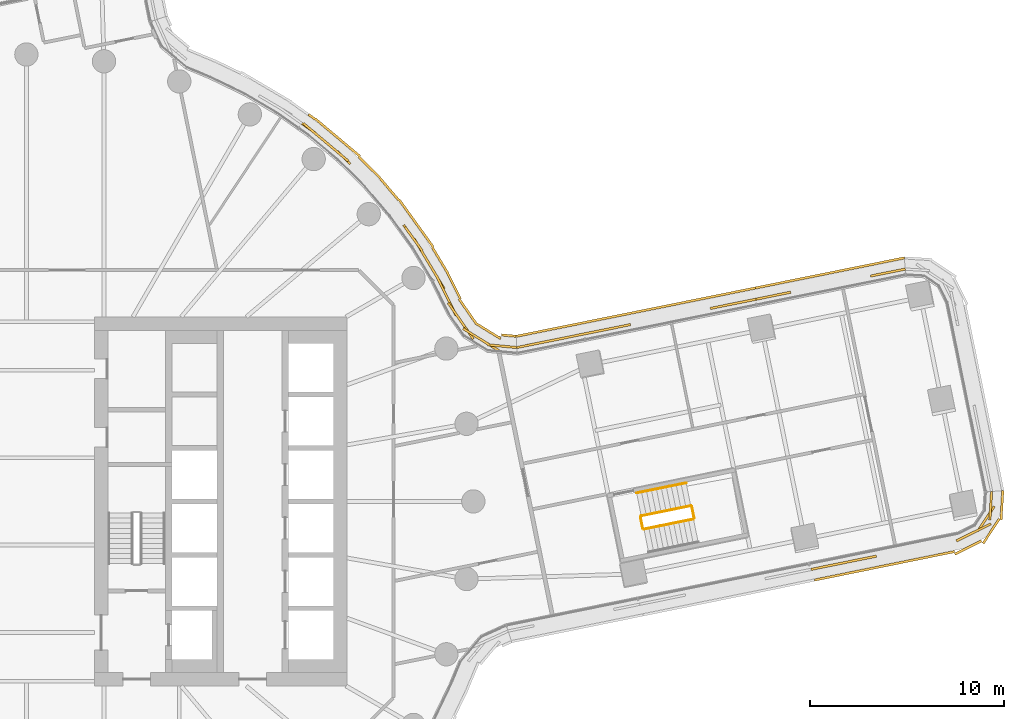
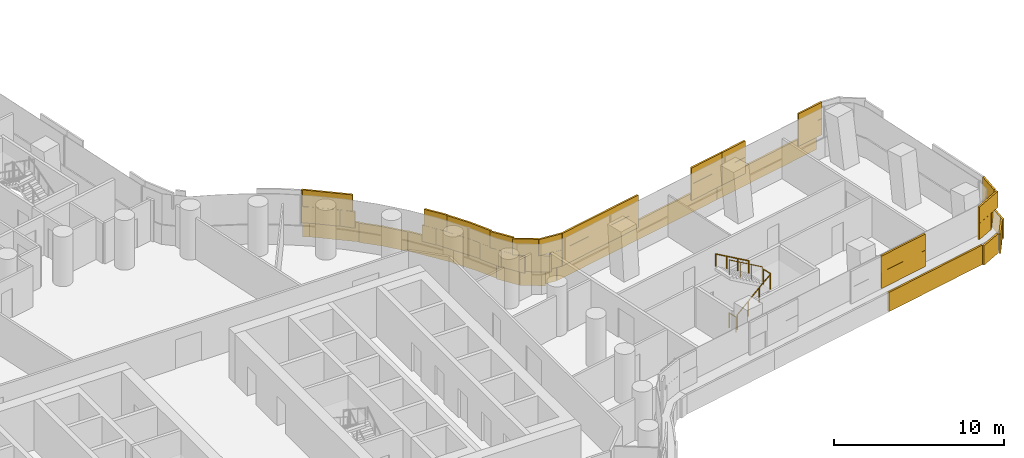
# One storey, part 28 of 31: 5 railings, 4 coverings.
"""IFC4 building model written with IfcOpenShell, lengths in metres."""

from ifc_helpers import new_model, si_unit, direction, frame, origin, origin_2d, place, context, subcontext, project, spatial, rectangle, circle, extrude, material, layer, layer_set, type_object, element, save


model = new_model("IFC4")

# Units and contexts
model_context = context("Model", 3, precision=1e-05, world=origin(), true_north=direction((0.0, 1.0)))
body_context = subcontext(model_context, "Body", "Model", "MODEL_VIEW")
ifc_project = project(units=[si_unit("LENGTHUNIT", "METRE"), si_unit("AREAUNIT", "SQUARE_METRE"), si_unit("VOLUMEUNIT", "CUBIC_METRE"), si_unit("PLANEANGLEUNIT", "RADIAN"), si_unit("MASSUNIT", "GRAM", prefix="KILO")], contexts=[model_context])

# Site, building, storey
site_placement = place(None, origin())
site = spatial("IfcSite", under=ifc_project, at=site_placement, CompositionType="ELEMENT")
building_placement = place(site_placement, origin())
building = spatial("IfcBuilding", under=site, at=building_placement, Name="Tamarind Cross Interchange Tower", CompositionType="ELEMENT")
storey_placement = place(building_placement, frame((0.0, 0.0, 75.25)))
storey = spatial("IfcBuildingStorey", under=building, at=storey_placement, Name="L17", CompositionType="ELEMENT", Elevation=75.25)

# Railings
ifc_material_1 = material(Name="Stair guard")
railing_type_1 = type_object("IfcRailingType", Name="Stair guard", PredefinedType="GUARDRAIL", material=ifc_material_1)
railing_1_placement = place(storey_placement, frame((31.781005859375, -1.429931640625, 0.17041015625)))
element("IfcRailing", 1, at=railing_1_placement, inside=storey, type_object=railing_type_1, Name="L17 ST3 stair guard 1", PredefinedType="GUARDRAIL", context=body_context, shape_type="SweptSolid", body=[
    extrude(circle(Radius=0.02392578125, at=origin_2d()), frame((0.0, 0.0, 1.076171875), z_axis=(0.819521697612, 0.166637125559, 0.548284830656), x_axis=(-0.199257188689, 0.979947229577, 0.0)), (0.0, 0.0, 1.0), 3.10888671875),
    extrude(circle(Radius=0.02099609375, at=origin_2d()), origin(), (0.0, 0.0, 1.0), 1.052001953125),
    extrude(circle(Radius=0.02099609375, at=origin_2d()), frame((0.849365234375, 0.172607421875, 0.568115234375)), (0.0, 0.0, 1.0), 1.052001953125),
    extrude(circle(Radius=0.02099609375, at=origin_2d()), frame((1.698486328125, 0.345458984375, 1.136474609375)), (0.0, 0.0, 1.0), 1.052001953125),
    extrude(circle(Radius=0.02099609375, at=origin_2d()), frame((2.5478515625, 0.51806640625, 1.70458984375)), (0.0, 0.0, 1.0), 1.052001953125),
])
railing_2_placement = place(storey_placement, frame((34.367919921875, -0.852783203125, 1.875)))
element("IfcRailing", 2, at=railing_2_placement, inside=storey, type_object=railing_type_1, Name="L17 ST3 stair guard 2", PredefinedType="GUARDRAIL", context=body_context, shape_type="SweptSolid", body=[
    extrude(circle(Radius=0.02392578125, at=origin_2d()), frame((0.0, 0.0, 1.076171875), z_axis=(-0.199401877541, 0.979917798202, 0.0), x_axis=(-0.979917798202, -0.199401877541, 0.0)), (0.0, 0.0, 1.0), 0.599853515625),
    extrude(circle(Radius=0.02099609375, at=origin_2d()), origin(), (0.0, 0.0, 1.0), 1.052001953125),
    extrude(circle(Radius=0.02099609375, at=origin_2d()), frame((-0.11962890625, 0.587890625, 0.0)), (0.0, 0.0, 1.0), 1.052001953125),
])
railing_3_placement = place(storey_placement, frame((34.189453125, -0.225830078125, 2.04541015625)))
element("IfcRailing", 3, at=railing_3_placement, inside=storey, type_object=railing_type_1, Name="L17 ST3 stair guard 3", PredefinedType="GUARDRAIL", context=body_context, shape_type="SweptSolid", body=[
    extrude(circle(Radius=0.02392578125, at=origin_2d()), frame((0.0, 0.0, 1.076171875), z_axis=(-0.819521697612, -0.166637125559, 0.548284830656), x_axis=(0.199257188689, -0.979947229577, 0.0)), (0.0, 0.0, 1.0), 3.10888671875),
    extrude(circle(Radius=0.02099609375, at=origin_2d()), origin(), (0.0, 0.0, 1.0), 1.052001953125),
    extrude(circle(Radius=0.02099609375, at=origin_2d()), frame((-0.849365234375, -0.172607421875, 0.568115234375)), (0.0, 0.0, 1.0), 1.052001953125),
    extrude(circle(Radius=0.02099609375, at=origin_2d()), frame((-1.698486328125, -0.345458984375, 1.136474609375)), (0.0, 0.0, 1.0), 1.052001953125),
    extrude(circle(Radius=0.02099609375, at=origin_2d()), frame((-2.5478515625, -0.51806640625, 1.70458984375)), (0.0, 0.0, 1.0), 1.052001953125),
])
railing_4_placement = place(storey_placement, frame((31.721923828125, -1.390869140625, 0.0)))
element("IfcRailing", 4, at=railing_4_placement, inside=storey, type_object=railing_type_1, Name="L17 ST3 stair guard 4", PredefinedType="GUARDRAIL", context=body_context, shape_type="SweptSolid", body=[
    extrude(circle(Radius=0.02392578125, at=origin_2d()), frame((0.0, 0.0, 1.076171875), z_axis=(-0.198931726306, 0.980013351067, 0.0), x_axis=(-0.980013351067, -0.198931726306, 0.0)), (0.0, 0.0, 1.0), 0.60009765625),
    extrude(circle(Radius=0.02099609375, at=origin_2d()), origin(), (0.0, 0.0, 1.0), 1.052001953125),
    extrude(circle(Radius=0.02099609375, at=origin_2d()), frame((-0.119384765625, 0.588134765625, 0.0)), (0.0, 0.0, 1.0), 1.052001953125),
])
ifc_material_2 = material(Name="Stair handrail")
railing_type_2 = type_object("IfcRailingType", Name="Stair handrail", PredefinedType="HANDRAIL", material=ifc_material_2)
railing_5_placement = place(storey_placement, frame((33.9501953125, 0.9501953125, 2.04541015625)))
element("IfcRailing", 5, at=railing_5_placement, inside=storey, type_object=railing_type_2, Name="L17 ST3 stair handrail 2", PredefinedType="HANDRAIL", context=body_context, shape_type="SweptSolid", body=[
    extrude(circle(Radius=0.02392578125, at=origin_2d()), frame((0.0, 0.0, 0.8759765625), z_axis=(-0.819521697612, -0.166637125559, 0.548284830656), x_axis=(0.199257188689, -0.979947229577, 0.0)), (0.0, 0.0, 1.0), 3.10888671875),
    extrude(circle(Radius=0.02099609375, at=origin_2d()), origin(), (0.0, 0.0, 1.0), 0.851806640625),
    extrude(circle(Radius=0.02099609375, at=origin_2d()), frame((-0.849365234375, -0.172607421875, 0.568115234375)), (0.0, 0.0, 1.0), 0.851806640625),
    extrude(circle(Radius=0.02099609375, at=origin_2d()), frame((-1.698486328125, -0.345458984375, 1.136474609375)), (0.0, 0.0, 1.0), 0.851806640625),
    extrude(circle(Radius=0.02099609375, at=origin_2d()), frame((-2.5478515625, -0.51806640625, 1.70458984375)), (0.0, 0.0, 1.0), 0.851806640625),
])

# Coverings
ifc_material_3 = material(Name="Terracotta", Category="masonry")
ifc_layer = layer(ifc_material_3, 0.1201171875)
ifc_layer_set = layer_set([ifc_layer], Name="Terracotta")
covering_type = type_object("IfcCoveringType", Name="Terracotta baguette screen unit", PredefinedType="MOLDING", material=ifc_layer_set)
covering_1_placement = place(storey_placement, origin())
element("IfcCovering", 6, at=covering_1_placement, inside=storey, type_object=covering_type, Name="SCR-L17-07-02", PredefinedType="MOLDING", context=body_context, shape_type="SweptSolid", body=[
    extrude(rectangle(XDim=1.3525390625, YDim=0.1201171875, at=origin_2d()), frame((41.03466796875, -3.364990234375, 1.404052734375), z_axis=(0.0, 0.0, 1.0), x_axis=(0.979949750197, 0.199244791873, 0.0)), (0.0, 0.0, 1.0), 1.1669921875),
    extrude(rectangle(XDim=1.52001953125, YDim=0.1201171875, at=origin_2d()), frame((42.42724609375, -3.081787109375, 1.404052734375), z_axis=(0.0, 0.0, 1.0), x_axis=(0.979949750197, 0.199244791873, 0.0)), (0.0, 0.0, 1.0), 1.1669921875),
    extrude(rectangle(XDim=0.594970703125, YDim=0.1201171875, at=origin_2d()), frame((43.44873046875, -2.8740234375, 1.404052734375), z_axis=(0.0, 0.0, 1.0), x_axis=(0.979949750197, 0.199244791873, 0.0)), (0.0, 0.0, 1.0), 1.1669921875),
    extrude(rectangle(XDim=1.22509765625, YDim=0.1201171875, at=origin_2d()), frame((48.412109375, -1.757568359375, 1.404052734375), z_axis=(0.0, 0.0, 1.0), x_axis=(0.894990425407, 0.446085348818, 0.0)), (0.0, 0.0, 1.0), 1.1669921875),
    extrude(rectangle(XDim=1.52001953125, YDim=0.1201171875, at=origin_2d()), frame((49.3896484375, -0.883544921875, 1.404052734375), z_axis=(0.0, 0.0, 1.0), x_axis=(0.552041770137, 0.833816457036, 0.0)), (0.0, 0.0, 1.0), 1.1669921875),
    extrude(rectangle(XDim=0.72216796875, YDim=0.1201171875, at=origin_2d()), frame((49.649169921875, 0.15625, 1.404052734375), z_axis=(0.0, 0.0, 1.0), x_axis=(0.061173968371, 0.998127118955, 0.0)), (0.0, 0.0, 1.0), 1.1669921875),
    extrude(rectangle(XDim=0.6025390625, YDim=0.1201171875, at=origin_2d()), frame((40.6669921875, -3.439697265625, 2.5791015625), z_axis=(0.0, 0.0, 1.0), x_axis=(0.979949750197, 0.199244791873, 0.0)), (0.0, 0.0, 1.0), 1.1669921875),
    extrude(rectangle(XDim=1.52001953125, YDim=0.1201171875, at=origin_2d()), frame((41.6923828125, -3.231201171875, 2.5791015625), z_axis=(0.0, 0.0, 1.0), x_axis=(0.979949750197, 0.199244791873, 0.0)), (0.0, 0.0, 1.0), 1.1669921875),
    extrude(rectangle(XDim=1.344970703125, YDim=0.1201171875, at=origin_2d()), frame((43.081298828125, -2.94873046875, 2.5791015625), z_axis=(0.0, 0.0, 1.0), x_axis=(0.979949750197, 0.199244791873, 0.0)), (0.0, 0.0, 1.0), 1.1669921875),
    extrude(rectangle(XDim=0.47509765625, YDim=0.1201171875, at=origin_2d()), frame((48.076416015625, -1.9248046875, 2.5791015625), z_axis=(0.0, 0.0, 1.0), x_axis=(0.894990425407, 0.446085348818, 0.0)), (0.0, 0.0, 1.0), 1.1669921875),
    extrude(rectangle(XDim=1.52001953125, YDim=0.1201171875, at=origin_2d()), frame((48.955810546875, -1.486572265625, 2.5791015625), z_axis=(0.0, 0.0, 1.0), x_axis=(0.894990425407, 0.446085348818, 0.0)), (0.0, 0.0, 1.0), 1.1669921875),
    extrude(rectangle(XDim=1.47216796875, YDim=0.1201171875, at=origin_2d()), frame((49.626220703125, -0.218017578125, 2.5791015625), z_axis=(0.0, 0.0, 1.0), x_axis=(0.061173968371, 0.998127118955, 0.0)), (0.0, 0.0, 1.0), 1.1669921875),
    extrude(rectangle(XDim=1.345458984375, YDim=0.1201171875, at=origin_2d()), frame((41.22119140625, -3.912841796875, 0.00390625), z_axis=(0.0, 0.0, 1.0), x_axis=(0.979949750197, 0.199244791873, 0.0)), (0.0, 0.0, 1.0), 1.39208984375),
    extrude(rectangle(XDim=1.52001953125, YDim=0.1201171875, at=origin_2d()), frame((42.605712890625, -3.63134765625, 0.00390625), z_axis=(0.0, 0.0, 1.0), x_axis=(0.979949750197, 0.199244791873, 0.0)), (0.0, 0.0, 1.0), 1.39208984375),
    extrude(rectangle(XDim=1.52001953125, YDim=0.1201171875, at=origin_2d()), frame((44.07568359375, -3.332275390625, 0.00390625), z_axis=(0.0, 0.0, 1.0), x_axis=(0.979949750197, 0.199244791873, 0.0)), (0.0, 0.0, 1.0), 1.39208984375),
    extrude(rectangle(XDim=1.52001953125, YDim=0.1201171875, at=origin_2d()), frame((45.54541015625, -3.033447265625, 0.00390625), z_axis=(0.0, 0.0, 1.0), x_axis=(0.979949750197, 0.199244791873, 0.0)), (0.0, 0.0, 1.0), 1.39208984375),
    extrude(rectangle(XDim=1.52001953125, YDim=0.1201171875, at=origin_2d()), frame((47.015380859375, -2.734619140625, 0.00390625), z_axis=(0.0, 0.0, 1.0), x_axis=(0.979949750197, 0.199244791873, 0.0)), (0.0, 0.0, 1.0), 1.39208984375),
    extrude(rectangle(XDim=1.52001953125, YDim=0.1201171875, at=origin_2d()), frame((48.4638671875, -2.373291015625, 0.00390625), z_axis=(0.0, 0.0, 1.0), x_axis=(0.894990425407, 0.446085348818, 0.0)), (0.0, 0.0, 1.0), 1.39208984375),
    extrude(rectangle(XDim=1.52001953125, YDim=0.1201171875, at=origin_2d()), frame((49.65087890625, -1.5283203125, 0.00390625), z_axis=(0.0, 0.0, 1.0), x_axis=(0.552041770137, 0.833816457036, 0.0)), (0.0, 0.0, 1.0), 1.39208984375),
    extrude(rectangle(XDim=1.498779296875, YDim=0.1201171875, at=origin_2d()), frame((50.20263671875, -0.196044921875, 0.00390625), z_axis=(0.0, 0.0, 1.0), x_axis=(0.061173968371, 0.998127118955, 0.0)), (0.0, 0.0, 1.0), 1.39208984375),
])
covering_2_placement = place(storey_placement, origin())
element("IfcCovering", 7, at=covering_2_placement, inside=storey, type_object=covering_type, Name="SCR-L17-09-00", PredefinedType="MOLDING", context=body_context, shape_type="SweptSolid", body=[
    extrude(rectangle(XDim=0.760009765625, YDim=0.1201171875, at=origin_2d()), frame((44.855712890625, 11.882568359375, 1.404052734375), z_axis=(0.0, 0.0, 1.0), x_axis=(-0.980197408272, -0.19802282903, 0.0)), (0.0, 0.0, 1.0), 1.1669921875),
    extrude(rectangle(XDim=1.07373046875, YDim=0.1201171875, at=origin_2d()), frame((43.966796875, 11.702880859375, 1.404052734375), z_axis=(0.0, 0.0, 1.0), x_axis=(-0.980197408272, -0.19802282903, 0.0)), (0.0, 0.0, 1.0), 1.1669921875),
    extrude(rectangle(XDim=0.746337890625, YDim=0.1201171875, at=origin_2d()), frame((38.9677734375, 10.693115234375, 1.404052734375), z_axis=(0.0, 0.0, 1.0), x_axis=(-0.980197408272, -0.19802282903, 0.0)), (0.0, 0.0, 1.0), 1.1669921875),
    extrude(rectangle(XDim=1.08740234375, YDim=0.1201171875, at=origin_2d()), frame((38.078857421875, 10.513427734375, 1.404052734375), z_axis=(0.0, 0.0, 1.0), x_axis=(-0.980197408272, -0.19802282903, 0.0)), (0.0, 0.0, 1.0), 1.1669921875),
    extrude(rectangle(XDim=1.510009765625, YDim=0.1201171875, at=origin_2d()), frame((44.488037109375, 11.808349609375, 2.5791015625), z_axis=(0.0, 0.0, 1.0), x_axis=(-0.980197408272, -0.19802282903, 0.0)), (0.0, 0.0, 1.0), 1.1669921875),
    extrude(rectangle(XDim=0.32373046875, YDim=0.1201171875, at=origin_2d()), frame((43.59912109375, 11.628662109375, 2.5791015625), z_axis=(0.0, 0.0, 1.0), x_axis=(-0.980197408272, -0.19802282903, 0.0)), (0.0, 0.0, 1.0), 1.1669921875),
    extrude(rectangle(XDim=1.496337890625, YDim=0.1201171875, at=origin_2d()), frame((38.60009765625, 10.618896484375, 2.5791015625), z_axis=(0.0, 0.0, 1.0), x_axis=(-0.980197408272, -0.19802282903, 0.0)), (0.0, 0.0, 1.0), 1.1669921875),
    extrude(rectangle(XDim=0.33740234375, YDim=0.1201171875, at=origin_2d()), frame((37.711181640625, 10.439208984375, 2.5791015625), z_axis=(0.0, 0.0, 1.0), x_axis=(-0.980197408272, -0.19802282903, 0.0)), (0.0, 0.0, 1.0), 1.1669921875),
    extrude(rectangle(XDim=0.760009765625, YDim=0.1201171875, at=origin_2d()), frame((44.810791015625, 12.459228515625, 0.00390625), z_axis=(0.0, 0.0, 1.0), x_axis=(-0.980197408272, -0.19802282903, 0.0)), (0.0, 0.0, 1.0), 1.39208984375),
    extrude(rectangle(XDim=1.52001953125, YDim=0.1201171875, at=origin_2d()), frame((43.712890625, 12.2373046875, 0.00390625), z_axis=(0.0, 0.0, 1.0), x_axis=(-0.980197408272, -0.19802282903, 0.0)), (0.0, 0.0, 1.0), 1.39208984375),
    extrude(rectangle(XDim=1.52001953125, YDim=0.1201171875, at=origin_2d()), frame((42.24267578125, 11.940185546875, 0.00390625), z_axis=(0.0, 0.0, 1.0), x_axis=(-0.980197408272, -0.19802282903, 0.0)), (0.0, 0.0, 1.0), 1.39208984375),
    extrude(rectangle(XDim=1.52001953125, YDim=0.1201171875, at=origin_2d()), frame((40.7724609375, 11.643310546875, 0.00390625), z_axis=(0.0, 0.0, 1.0), x_axis=(-0.980197408272, -0.19802282903, 0.0)), (0.0, 0.0, 1.0), 1.39208984375),
    extrude(rectangle(XDim=1.52001953125, YDim=0.1201171875, at=origin_2d()), frame((39.302001953125, 11.34619140625, 0.00390625), z_axis=(0.0, 0.0, 1.0), x_axis=(-0.980197408272, -0.19802282903, 0.0)), (0.0, 0.0, 1.0), 1.39208984375),
    extrude(rectangle(XDim=1.083740234375, YDim=0.1201171875, at=origin_2d()), frame((38.045654296875, 11.09228515625, 0.00390625), z_axis=(0.0, 0.0, 1.0), x_axis=(-0.980197408272, -0.19802282903, 0.0)), (0.0, 0.0, 1.0), 1.39208984375),
])
covering_3_placement = place(storey_placement, origin())
element("IfcCovering", 8, at=covering_3_placement, inside=storey, type_object=covering_type, Name="SCR-L17-09-01", PredefinedType="MOLDING", context=body_context, shape_type="SweptSolid", body=[
    extrude(rectangle(XDim=0.432373046875, YDim=0.1201171875, at=origin_2d()), frame((37.34375, 10.364990234375, 1.404052734375), z_axis=(0.0, 0.0, 1.0), x_axis=(-0.980197408272, -0.19802282903, 0.0)), (0.0, 0.0, 1.0), 1.1669921875),
    extrude(rectangle(XDim=1.52001953125, YDim=0.1201171875, at=origin_2d()), frame((36.4013671875, 10.174560546875, 1.404052734375), z_axis=(0.0, 0.0, 1.0), x_axis=(-0.980197408272, -0.19802282903, 0.0)), (0.0, 0.0, 1.0), 1.1669921875),
    extrude(rectangle(XDim=0.487060546875, YDim=0.1201171875, at=origin_2d()), frame((35.432373046875, 9.978759765625, 1.404052734375), z_axis=(0.0, 0.0, 1.0), x_axis=(-0.980197408272, -0.19802282903, 0.0)), (0.0, 0.0, 1.0), 1.1669921875),
    extrude(rectangle(XDim=1.332763671875, YDim=0.1201171875, at=origin_2d()), frame((30.43359375, 8.968994140625, 1.404052734375), z_axis=(0.0, 0.0, 1.0), x_axis=(-0.980197408272, -0.19802282903, 0.0)), (0.0, 0.0, 1.0), 1.1669921875),
    extrude(rectangle(XDim=1.52001953125, YDim=0.1201171875, at=origin_2d()), frame((29.050048828125, 8.689453125, 1.404052734375), z_axis=(0.0, 0.0, 1.0), x_axis=(-0.980197408272, -0.19802282903, 0.0)), (0.0, 0.0, 1.0), 1.1669921875),
    extrude(rectangle(XDim=1.52001953125, YDim=0.1201171875, at=origin_2d()), frame((27.57958984375, 8.392333984375, 1.404052734375), z_axis=(0.0, 0.0, 1.0), x_axis=(-0.980197408272, -0.19802282903, 0.0)), (0.0, 0.0, 1.0), 1.1669921875),
    extrude(rectangle(XDim=1.52001953125, YDim=0.1201171875, at=origin_2d()), frame((26.109375, 8.095458984375, 1.404052734375), z_axis=(0.0, 0.0, 1.0), x_axis=(-0.980197408272, -0.19802282903, 0.0)), (0.0, 0.0, 1.0), 1.1669921875),
    extrude(rectangle(XDim=0.14892578125, YDim=0.1201171875, at=origin_2d()), frame((25.30615234375, 7.93310546875, 1.404052734375), z_axis=(0.0, 0.0, 1.0), x_axis=(-0.980197408272, -0.19802282903, 0.0)), (0.0, 0.0, 1.0), 1.1669921875),
    extrude(rectangle(XDim=1.182373046875, YDim=0.1201171875, at=origin_2d()), frame((36.97607421875, 10.290771484375, 2.5791015625), z_axis=(0.0, 0.0, 1.0), x_axis=(-0.980197408272, -0.19802282903, 0.0)), (0.0, 0.0, 1.0), 1.1669921875),
    extrude(rectangle(XDim=1.237060546875, YDim=0.1201171875, at=origin_2d()), frame((35.800048828125, 10.05322265625, 2.5791015625), z_axis=(0.0, 0.0, 1.0), x_axis=(-0.980197408272, -0.19802282903, 0.0)), (0.0, 0.0, 1.0), 1.1669921875),
    extrude(rectangle(XDim=0.582763671875, YDim=0.1201171875, at=origin_2d()), frame((30.801025390625, 9.043212890625, 2.5791015625), z_axis=(0.0, 0.0, 1.0), x_axis=(-0.980197408272, -0.19802282903, 0.0)), (0.0, 0.0, 1.0), 1.1669921875),
    extrude(rectangle(XDim=1.52001953125, YDim=0.1201171875, at=origin_2d()), frame((29.78515625, 8.837890625, 2.5791015625), z_axis=(0.0, 0.0, 1.0), x_axis=(-0.980197408272, -0.19802282903, 0.0)), (0.0, 0.0, 1.0), 1.1669921875),
    extrude(rectangle(XDim=1.52001953125, YDim=0.1201171875, at=origin_2d()), frame((28.31494140625, 8.541015625, 2.5791015625), z_axis=(0.0, 0.0, 1.0), x_axis=(-0.980197408272, -0.19802282903, 0.0)), (0.0, 0.0, 1.0), 1.1669921875),
    extrude(rectangle(XDim=1.52001953125, YDim=0.1201171875, at=origin_2d()), frame((26.844482421875, 8.243896484375, 2.5791015625), z_axis=(0.0, 0.0, 1.0), x_axis=(-0.980197408272, -0.19802282903, 0.0)), (0.0, 0.0, 1.0), 1.1669921875),
    extrude(rectangle(XDim=0.89892578125, YDim=0.1201171875, at=origin_2d()), frame((25.673828125, 8.00732421875, 2.5791015625), z_axis=(0.0, 0.0, 1.0), x_axis=(-0.980197408272, -0.19802282903, 0.0)), (0.0, 0.0, 1.0), 1.1669921875),
    extrude(rectangle(XDim=0.436279296875, YDim=0.1201171875, at=origin_2d()), frame((37.30078125, 10.94189453125, 0.00390625), z_axis=(0.0, 0.0, 1.0), x_axis=(-0.980197408272, -0.19802282903, 0.0)), (0.0, 0.0, 1.0), 1.39208984375),
    extrude(rectangle(XDim=1.52001953125, YDim=0.1201171875, at=origin_2d()), frame((36.361572265625, 10.752197265625, 0.00390625), z_axis=(0.0, 0.0, 1.0), x_axis=(-0.980197408272, -0.19802282903, 0.0)), (0.0, 0.0, 1.0), 1.39208984375),
    extrude(rectangle(XDim=1.52001953125, YDim=0.1201171875, at=origin_2d()), frame((34.89111328125, 10.455078125, 0.00390625), z_axis=(0.0, 0.0, 1.0), x_axis=(-0.980197408272, -0.19802282903, 0.0)), (0.0, 0.0, 1.0), 1.39208984375),
    extrude(rectangle(XDim=1.52001953125, YDim=0.1201171875, at=origin_2d()), frame((33.4208984375, 10.158203125, 0.00390625), z_axis=(0.0, 0.0, 1.0), x_axis=(-0.980197408272, -0.19802282903, 0.0)), (0.0, 0.0, 1.0), 1.39208984375),
    extrude(rectangle(XDim=1.52001953125, YDim=0.1201171875, at=origin_2d()), frame((31.95068359375, 9.861083984375, 0.00390625), z_axis=(0.0, 0.0, 1.0), x_axis=(-0.980197408272, -0.19802282903, 0.0)), (0.0, 0.0, 1.0), 1.39208984375),
    extrude(rectangle(XDim=1.52001953125, YDim=0.1201171875, at=origin_2d()), frame((30.480224609375, 9.56396484375, 0.00390625), z_axis=(0.0, 0.0, 1.0), x_axis=(-0.980197408272, -0.19802282903, 0.0)), (0.0, 0.0, 1.0), 1.39208984375),
    extrude(rectangle(XDim=1.52001953125, YDim=0.1201171875, at=origin_2d()), frame((29.010009765625, 9.26708984375, 0.00390625), z_axis=(0.0, 0.0, 1.0), x_axis=(-0.980197408272, -0.19802282903, 0.0)), (0.0, 0.0, 1.0), 1.39208984375),
    extrude(rectangle(XDim=1.52001953125, YDim=0.1201171875, at=origin_2d()), frame((27.539794921875, 8.969970703125, 0.00390625), z_axis=(0.0, 0.0, 1.0), x_axis=(-0.980197408272, -0.19802282903, 0.0)), (0.0, 0.0, 1.0), 1.39208984375),
    extrude(rectangle(XDim=1.52001953125, YDim=0.1201171875, at=origin_2d()), frame((26.0693359375, 8.6728515625, 0.00390625), z_axis=(0.0, 0.0, 1.0), x_axis=(-0.980197408272, -0.19802282903, 0.0)), (0.0, 0.0, 1.0), 1.39208984375),
    extrude(rectangle(XDim=0.13916015625, YDim=0.1201171875, at=origin_2d()), frame((25.27587890625, 8.5126953125, 0.00390625), z_axis=(0.0, 0.0, 1.0), x_axis=(-0.980197408272, -0.19802282903, 0.0)), (0.0, 0.0, 1.0), 1.39208984375),
])
covering_4_placement = place(storey_placement, origin())
element("IfcCovering", 9, at=covering_4_placement, inside=storey, type_object=covering_type, Name="SCR-L17-10-00", PredefinedType="MOLDING", context=body_context, shape_type="SweptSolid", body=[
    extrude(rectangle(XDim=0.760009765625, YDim=0.1201171875, at=origin_2d()), frame((24.86474609375, 7.954833984375, 1.404052734375), z_axis=(0.0, 0.0, 1.0), x_axis=(-0.995510302674, 0.094653247542, 0.0)), (0.0, 0.0, 1.0), 1.1669921875),
    extrude(rectangle(XDim=1.52001953125, YDim=0.1201171875, at=origin_2d()), frame((23.75830078125, 8.1015625, 1.404052734375), z_axis=(0.0, 0.0, 1.0), x_axis=(-0.850745711024, 0.525577525371, 0.0)), (0.0, 0.0, 1.0), 1.1669921875),
    extrude(rectangle(XDim=1.52001953125, YDim=0.1201171875, at=origin_2d()), frame((22.567626953125, 8.980224609375, 1.404052734375), z_axis=(0.0, 0.0, 1.0), x_axis=(-0.571495690015, 0.820605067188, 0.0)), (0.0, 0.0, 1.0), 1.1669921875),
    extrude(rectangle(XDim=1.52001953125, YDim=0.1201171875, at=origin_2d()), frame((21.77783203125, 10.2509765625, 1.404052734375), z_axis=(0.0, 0.0, 1.0), x_axis=(-0.443058811505, 0.896492548518, 0.0)), (0.0, 0.0, 1.0), 1.1669921875),
    extrude(rectangle(XDim=1.52001953125, YDim=0.1201171875, at=origin_2d()), frame((21.10986328125, 11.59375, 1.404052734375), z_axis=(0.0, 0.0, 1.0), x_axis=(-0.515577308909, 0.856843065292, 0.0)), (0.0, 0.0, 1.0), 1.1669921875),
    extrude(rectangle(XDim=1.52001953125, YDim=0.1201171875, at=origin_2d()), frame((20.336669921875, 12.879150390625, 1.404052734375), z_axis=(0.0, 0.0, 1.0), x_axis=(-0.515577308909, 0.856843065292, 0.0)), (0.0, 0.0, 1.0), 1.1669921875),
    extrude(rectangle(XDim=0.885498046875, YDim=0.1201171875, at=origin_2d()), frame((19.6728515625, 13.863037109375, 1.404052734375), z_axis=(0.0, 0.0, 1.0), x_axis=(-0.584573890505, 0.811340475102, 0.0)), (0.0, 0.0, 1.0), 1.1669921875),
    extrude(rectangle(XDim=0.934326171875, YDim=0.1201171875, at=origin_2d()), frame((16.32861328125, 17.69970703125, 1.404052734375), z_axis=(0.0, 0.0, 1.0), x_axis=(-0.710143317658, 0.704057148523, 0.0)), (0.0, 0.0, 1.0), 1.1669921875),
    extrude(rectangle(XDim=1.52001953125, YDim=0.1201171875, at=origin_2d()), frame((15.4072265625, 18.487060546875, 1.404052734375), z_axis=(0.0, 0.0, 1.0), x_axis=(-0.765858396687, 0.643009266048, 0.0)), (0.0, 0.0, 1.0), 1.1669921875),
    extrude(rectangle(XDim=0.822265625, YDim=0.1201171875, at=origin_2d()), frame((14.50927734375, 19.214111328125, 1.404052734375), z_axis=(0.0, 0.0, 1.0), x_axis=(-0.816341886298, 0.577568978284, 0.0)), (0.0, 0.0, 1.0), 1.1669921875),
    extrude(rectangle(XDim=1.510009765625, YDim=0.1201171875, at=origin_2d()), frame((24.491455078125, 7.990234375, 2.5791015625), z_axis=(0.0, 0.0, 1.0), x_axis=(-0.995510302674, 0.094653247542, 0.0)), (0.0, 0.0, 1.0), 1.1669921875),
    extrude(rectangle(XDim=1.52001953125, YDim=0.1201171875, at=origin_2d()), frame((23.120361328125, 8.495849609375, 2.5791015625), z_axis=(0.0, 0.0, 1.0), x_axis=(-0.850745711024, 0.525577525371, 0.0)), (0.0, 0.0, 1.0), 1.1669921875),
    extrude(rectangle(XDim=1.52001953125, YDim=0.1201171875, at=origin_2d()), frame((22.138916015625, 9.595458984375, 2.5791015625), z_axis=(0.0, 0.0, 1.0), x_axis=(-0.571495690015, 0.820605067188, 0.0)), (0.0, 0.0, 1.0), 1.1669921875),
    extrude(rectangle(XDim=1.52001953125, YDim=0.1201171875, at=origin_2d()), frame((21.445556640625, 10.92333984375, 2.5791015625), z_axis=(0.0, 0.0, 1.0), x_axis=(-0.443058811505, 0.896492548518, 0.0)), (0.0, 0.0, 1.0), 1.1669921875),
    extrude(rectangle(XDim=1.52001953125, YDim=0.1201171875, at=origin_2d()), frame((20.723388671875, 12.236572265625, 2.5791015625), z_axis=(0.0, 0.0, 1.0), x_axis=(-0.515577308909, 0.856843065292, 0.0)), (0.0, 0.0, 1.0), 1.1669921875),
    extrude(rectangle(XDim=1.52001953125, YDim=0.1201171875, at=origin_2d()), frame((19.928955078125, 13.5078125, 2.5791015625), z_axis=(0.0, 0.0, 1.0), x_axis=(-0.584573890505, 0.811340475102, 0.0)), (0.0, 0.0, 1.0), 1.1669921875),
    extrude(rectangle(XDim=1.52001953125, YDim=0.1201171875, at=origin_2d()), frame((15.981689453125, 18.004638671875, 2.5791015625), z_axis=(0.0, 0.0, 1.0), x_axis=(-0.765858396687, 0.643009266048, 0.0)), (0.0, 0.0, 1.0), 1.1669921875),
    extrude(rectangle(XDim=1.52001953125, YDim=0.1201171875, at=origin_2d()), frame((14.8330078125, 18.96923828125, 2.5791015625), z_axis=(0.0, 0.0, 1.0), x_axis=(-0.765858396687, 0.643009266048, 0.0)), (0.0, 0.0, 1.0), 1.1669921875),
    extrude(rectangle(XDim=0.072265625, YDim=0.1201171875, at=origin_2d()), frame((14.203125, 19.4306640625, 2.5791015625), z_axis=(0.0, 0.0, 1.0), x_axis=(-0.816341886298, 0.577568978284, 0.0)), (0.0, 0.0, 1.0), 1.1669921875),
    extrude(rectangle(XDim=0.760009765625, YDim=0.1201171875, at=origin_2d()), frame((24.829345703125, 8.534912109375, 0.00390625), z_axis=(0.0, 0.0, 1.0), x_axis=(-0.995510302674, 0.094653247542, 0.0)), (0.0, 0.0, 1.0), 1.39208984375),
    extrude(rectangle(XDim=1.52001953125, YDim=0.1201171875, at=origin_2d()), frame((23.759765625, 8.775390625, 0.00390625), z_axis=(0.0, 0.0, 1.0), x_axis=(-0.850745711024, 0.525577525371, 0.0)), (0.0, 0.0, 1.0), 1.39208984375),
    extrude(rectangle(XDim=1.52001953125, YDim=0.1201171875, at=origin_2d()), frame((22.70068359375, 9.793212890625, 0.00390625), z_axis=(0.0, 0.0, 1.0), x_axis=(-0.571495690015, 0.820605067188, 0.0)), (0.0, 0.0, 1.0), 1.39208984375),
    extrude(rectangle(XDim=1.52001953125, YDim=0.1201171875, at=origin_2d()), frame((21.992431640625, 11.112060546875, 0.00390625), z_axis=(0.0, 0.0, 1.0), x_axis=(-0.443058811505, 0.896492548518, 0.0)), (0.0, 0.0, 1.0), 1.39208984375),
    extrude(rectangle(XDim=1.52001953125, YDim=0.1201171875, at=origin_2d()), frame((21.27734375, 12.42919921875, 0.00390625), z_axis=(0.0, 0.0, 1.0), x_axis=(-0.515577308909, 0.856843065292, 0.0)), (0.0, 0.0, 1.0), 1.39208984375),
    extrude(rectangle(XDim=1.52001953125, YDim=0.1201171875, at=origin_2d()), frame((20.49267578125, 13.70703125, 0.00390625), z_axis=(0.0, 0.0, 1.0), x_axis=(-0.584573890505, 0.811340475102, 0.0)), (0.0, 0.0, 1.0), 1.39208984375),
    extrude(rectangle(XDim=1.52001953125, YDim=0.1201171875, at=origin_2d()), frame((19.615966796875, 14.924072265625, 0.00390625), z_axis=(0.0, 0.0, 1.0), x_axis=(-0.584573890505, 0.811340475102, 0.0)), (0.0, 0.0, 1.0), 1.39208984375),
    extrude(rectangle(XDim=1.52001953125, YDim=0.1201171875, at=origin_2d()), frame((18.666015625, 16.083984375, 0.00390625), z_axis=(0.0, 0.0, 1.0), x_axis=(-0.64957723968, 0.760295606781, 0.0)), (0.0, 0.0, 1.0), 1.39208984375),
    extrude(rectangle(XDim=1.52001953125, YDim=0.1201171875, at=origin_2d()), frame((17.65625, 17.19140625, 0.00390625), z_axis=(0.0, 0.0, 1.0), x_axis=(-0.710143317658, 0.704057148523, 0.0)), (0.0, 0.0, 1.0), 1.39208984375),
    extrude(rectangle(XDim=1.52001953125, YDim=0.1201171875, at=origin_2d()), frame((16.588623046875, 18.24462890625, 0.00390625), z_axis=(0.0, 0.0, 1.0), x_axis=(-0.765858396687, 0.643009266048, 0.0)), (0.0, 0.0, 1.0), 1.39208984375),
    extrude(rectangle(XDim=1.52001953125, YDim=0.1201171875, at=origin_2d()), frame((15.439697265625, 19.209228515625, 0.00390625), z_axis=(0.0, 0.0, 1.0), x_axis=(-0.765858396687, 0.643009266048, 0.0)), (0.0, 0.0, 1.0), 1.39208984375),
    extrude(rectangle(XDim=0.422119140625, YDim=0.1201171875, at=origin_2d()), frame((14.688232421875, 19.790771484375, 0.00390625), z_axis=(0.0, 0.0, 1.0), x_axis=(-0.816341886298, 0.577568978284, 0.0)), (0.0, 0.0, 1.0), 1.39208984375),
])

save(model, "model.ifc")
